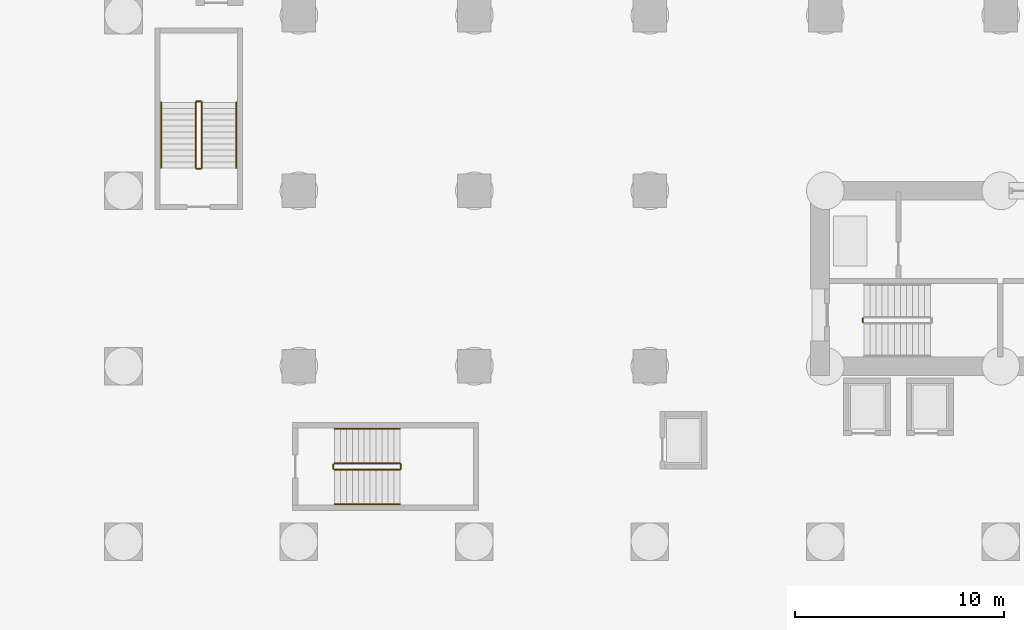
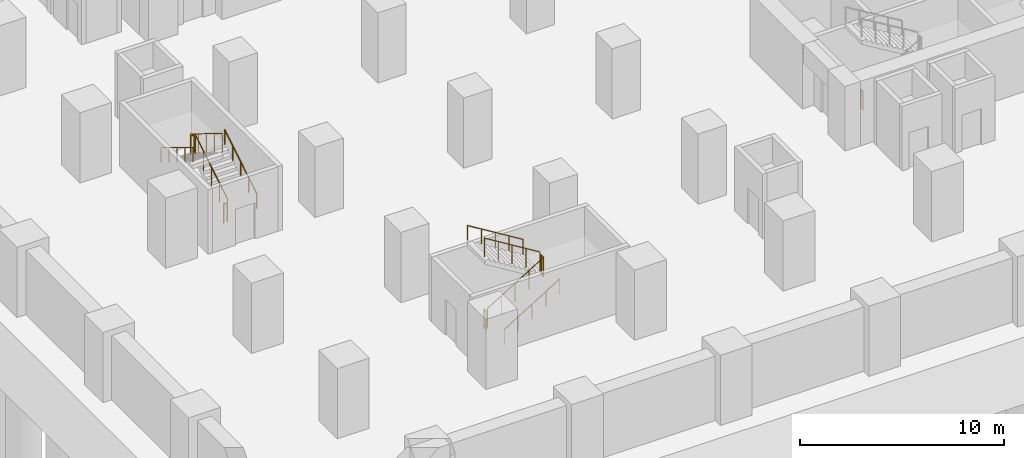
# One storey, part 9 of 12: 13 railings.
"""IFC4 building model written with IfcOpenShell, lengths in metres."""

from ifc_helpers import new_model, si_unit, direction, frame, origin, origin_2d, place, context, subcontext, project, spatial, circle, extrude, material, type_object, element, save


model = new_model("IFC4")

# Units and contexts
model_context = context("Model", 3, precision=1e-05, world=origin(), true_north=direction((0.0, 1.0)))
body_context = subcontext(model_context, "Body", "Model", "MODEL_VIEW")
ifc_project = project(units=[si_unit("LENGTHUNIT", "METRE"), si_unit("AREAUNIT", "SQUARE_METRE"), si_unit("VOLUMEUNIT", "CUBIC_METRE"), si_unit("PLANEANGLEUNIT", "RADIAN"), si_unit("MASSUNIT", "GRAM", prefix="KILO")], contexts=[model_context])

# Site, building, storey
site_placement = place(None, origin())
site = spatial("IfcSite", under=ifc_project, at=site_placement, CompositionType="ELEMENT")
building_placement = place(site_placement, origin())
building = spatial("IfcBuilding", under=site, at=building_placement, Name="Koriwani Terraces Tower", CompositionType="ELEMENT")
storey_placement = place(building_placement, frame((0.0, 0.0, -8.39990234375)))
storey = spatial("IfcBuildingStorey", under=building, at=storey_placement, Name="B02", CompositionType="ELEMENT", Elevation=-8.39990234375)

# Railings
ifc_material = material(Name="Steel ASTM A572 Grade 50", Category="steel")
railing_type_1 = type_object("IfcRailingType", Name="GUARD_STAIR_WELL_1120", PredefinedType="GUARDRAIL", material=ifc_material)
railing_1_placement = place(storey_placement, frame((43.800048828125, 18.89990234375, 0.0)))
element("IfcRailing", 1, at=railing_1_placement, inside=storey, type_object=railing_type_1, Name="B02 ST-E1 stair guard 4", PredefinedType="GUARDRAIL", context=body_context, shape_type="SweptSolid", body=[
    extrude(circle(Radius=0.02392578125, at=origin_2d()), frame((0.0, 0.0, 1.1259765625), z_axis=(0.0, 1.0, 0.0), x_axis=(-1.0, 0.0, 0.0)), (0.0, 0.0, 1.0), 0.2001953125),
    extrude(circle(Radius=0.02099609375, at=origin_2d()), origin(), (0.0, 0.0, 1.0), 1.101806640625),
    extrude(circle(Radius=0.02099609375, at=origin_2d()), frame((0.0, 0.2001953125, 0.0)), (0.0, 0.0, 1.0), 1.101806640625),
])
railing_2_placement = place(storey_placement, frame((12.14990234375, 26.300048828125, 0.1748046875)))
element("IfcRailing", 2, at=railing_2_placement, inside=storey, type_object=railing_type_1, Name="B02 ST-P1 stair guard 1", PredefinedType="GUARDRAIL", context=body_context, shape_type="SweptSolid", body=[
    extrude(circle(Radius=0.02392578125, at=origin_2d()), frame((0.0, 0.0, 1.1259765625), z_axis=(0.0, 0.852166034122, 0.523271488128), x_axis=(-1.0, 0.0, 0.0)), (0.0, 0.0, 1.0), 3.678955078125),
    extrude(circle(Radius=0.02099609375, at=origin_2d()), origin(), (0.0, 0.0, 1.0), 1.101806640625),
    extrude(circle(Radius=0.02099609375, at=origin_2d()), frame((0.0, 0.78369140625, 0.481201171875)), (0.0, 0.0, 1.0), 1.101806640625),
    extrude(circle(Radius=0.02099609375, at=origin_2d()), frame((0.0, 1.5673828125, 0.96240234375)), (0.0, 0.0, 1.0), 1.101806640625),
    extrude(circle(Radius=0.02099609375, at=origin_2d()), frame((0.0, 2.351318359375, 1.44384765625)), (0.0, 0.0, 1.0), 1.101806640625),
    extrude(circle(Radius=0.02099609375, at=origin_2d()), frame((0.0, 3.135009765625, 1.925048828125)), (0.0, 0.0, 1.0), 1.101806640625),
])
railing_3_placement = place(storey_placement, frame((12.10009765625, 29.485107421875, 2.099853515625)))
element("IfcRailing", 3, at=railing_3_placement, inside=storey, type_object=railing_type_1, Name="B02 ST-P1 stair guard 2", PredefinedType="GUARDRAIL", context=body_context, shape_type="SweptSolid", body=[
    extrude(circle(Radius=0.02392578125, at=origin_2d()), frame((0.0, 0.0, 1.1259765625), z_axis=(-1.0, 0.0, 0.0), x_axis=(0.0, -1.0, 0.0)), (0.0, 0.0, 1.0), 0.2001953125),
    extrude(circle(Radius=0.02099609375, at=origin_2d()), origin(), (0.0, 0.0, 1.0), 1.101806640625),
    extrude(circle(Radius=0.02099609375, at=origin_2d()), frame((-0.2001953125, 0.0, 0.0)), (0.0, 0.0, 1.0), 1.101806640625),
])
railing_4_placement = place(storey_placement, frame((11.85009765625, 29.43505859375, 2.27490234375)))
element("IfcRailing", 4, at=railing_4_placement, inside=storey, type_object=railing_type_1, Name="B02 ST-P1 stair guard 3", PredefinedType="GUARDRAIL", context=body_context, shape_type="SweptSolid", body=[
    extrude(circle(Radius=0.02392578125, at=origin_2d()), frame((0.0, 0.0, 1.1259765625), z_axis=(0.0, -0.852166034122, 0.523271488128), x_axis=(1.0, 0.0, 0.0)), (0.0, 0.0, 1.0), 3.678955078125),
    extrude(circle(Radius=0.02099609375, at=origin_2d()), origin(), (0.0, 0.0, 1.0), 1.101806640625),
    extrude(circle(Radius=0.02099609375, at=origin_2d()), frame((0.0, -0.78369140625, 0.481201171875)), (0.0, 0.0, 1.0), 1.101806640625),
    extrude(circle(Radius=0.02099609375, at=origin_2d()), frame((0.0, -1.5673828125, 0.96240234375)), (0.0, 0.0, 1.0), 1.101806640625),
    extrude(circle(Radius=0.02099609375, at=origin_2d()), frame((0.0, -2.351318359375, 1.44384765625)), (0.0, 0.0, 1.0), 1.101806640625),
    extrude(circle(Radius=0.02099609375, at=origin_2d()), frame((0.0, -3.135009765625, 1.925048828125)), (0.0, 0.0, 1.0), 1.101806640625),
])
railing_5_placement = place(storey_placement, frame((12.10009765625, 26.25, 0.0)))
element("IfcRailing", 5, at=railing_5_placement, inside=storey, type_object=railing_type_1, Name="B02 ST-P1 stair guard 4", PredefinedType="GUARDRAIL", context=body_context, shape_type="SweptSolid", body=[
    extrude(circle(Radius=0.02392578125, at=origin_2d()), frame((0.0, 0.0, 1.1259765625), z_axis=(-1.0, 0.0, 0.0), x_axis=(0.0, -1.0, 0.0)), (0.0, 0.0, 1.0), 0.2001953125),
    extrude(circle(Radius=0.02099609375, at=origin_2d()), origin(), (0.0, 0.0, 1.0), 1.101806640625),
    extrude(circle(Radius=0.02099609375, at=origin_2d()), frame((-0.2001953125, 0.0, 0.0)), (0.0, 0.0, 1.0), 1.101806640625),
])
railing_6_placement = place(storey_placement, frame((18.5, 11.85009765625, 0.1748046875)))
element("IfcRailing", 6, at=railing_6_placement, inside=storey, type_object=railing_type_1, Name="B02 ST-P2 stair guard 1", PredefinedType="GUARDRAIL", context=body_context, shape_type="SweptSolid", body=[
    extrude(circle(Radius=0.02392578125, at=origin_2d()), frame((0.0, 0.0, 1.1259765625), z_axis=(0.852166034122, 0.0, 0.523271488128), x_axis=(0.0, 1.0, 0.0)), (0.0, 0.0, 1.0), 3.678955078125),
    extrude(circle(Radius=0.02099609375, at=origin_2d()), origin(), (0.0, 0.0, 1.0), 1.101806640625),
    extrude(circle(Radius=0.02099609375, at=origin_2d()), frame((0.78369140625, 0.0, 0.481201171875)), (0.0, 0.0, 1.0), 1.101806640625),
    extrude(circle(Radius=0.02099609375, at=origin_2d()), frame((1.5673828125, 0.0, 0.96240234375)), (0.0, 0.0, 1.0), 1.101806640625),
    extrude(circle(Radius=0.02099609375, at=origin_2d()), frame((2.351318359375, 0.0, 1.44384765625)), (0.0, 0.0, 1.0), 1.101806640625),
    extrude(circle(Radius=0.02099609375, at=origin_2d()), frame((3.135009765625, 0.0, 1.925048828125)), (0.0, 0.0, 1.0), 1.101806640625),
])
railing_7_placement = place(storey_placement, frame((21.68505859375, 11.89990234375, 2.099853515625)))
element("IfcRailing", 7, at=railing_7_placement, inside=storey, type_object=railing_type_1, Name="B02 ST-P2 stair guard 2", PredefinedType="GUARDRAIL", context=body_context, shape_type="SweptSolid", body=[
    extrude(circle(Radius=0.02392578125, at=origin_2d()), frame((0.0, 0.0, 1.1259765625), z_axis=(0.0, 1.0, 0.0), x_axis=(-1.0, 0.0, 0.0)), (0.0, 0.0, 1.0), 0.2001953125),
    extrude(circle(Radius=0.02099609375, at=origin_2d()), origin(), (0.0, 0.0, 1.0), 1.101806640625),
    extrude(circle(Radius=0.02099609375, at=origin_2d()), frame((0.0, 0.2001953125, 0.0)), (0.0, 0.0, 1.0), 1.101806640625),
])
railing_8_placement = place(storey_placement, frame((21.635009765625, 12.14990234375, 2.27490234375)))
element("IfcRailing", 8, at=railing_8_placement, inside=storey, type_object=railing_type_1, Name="B02 ST-P2 stair guard 3", PredefinedType="GUARDRAIL", context=body_context, shape_type="SweptSolid", body=[
    extrude(circle(Radius=0.02392578125, at=origin_2d()), frame((0.0, 0.0, 1.1259765625), z_axis=(-0.852166034122, 0.0, 0.523271488128), x_axis=(0.0, -1.0, 0.0)), (0.0, 0.0, 1.0), 3.678955078125),
    extrude(circle(Radius=0.02099609375, at=origin_2d()), origin(), (0.0, 0.0, 1.0), 1.101806640625),
    extrude(circle(Radius=0.02099609375, at=origin_2d()), frame((-0.78369140625, 0.0, 0.481201171875)), (0.0, 0.0, 1.0), 1.101806640625),
    extrude(circle(Radius=0.02099609375, at=origin_2d()), frame((-1.5673828125, 0.0, 0.96240234375)), (0.0, 0.0, 1.0), 1.101806640625),
    extrude(circle(Radius=0.02099609375, at=origin_2d()), frame((-2.351318359375, 0.0, 1.44384765625)), (0.0, 0.0, 1.0), 1.101806640625),
    extrude(circle(Radius=0.02099609375, at=origin_2d()), frame((-3.135009765625, 0.0, 1.925048828125)), (0.0, 0.0, 1.0), 1.101806640625),
])
railing_9_placement = place(storey_placement, frame((18.449951171875, 11.89990234375, 0.0)))
element("IfcRailing", 9, at=railing_9_placement, inside=storey, type_object=railing_type_1, Name="B02 ST-P2 stair guard 4", PredefinedType="GUARDRAIL", context=body_context, shape_type="SweptSolid", body=[
    extrude(circle(Radius=0.02392578125, at=origin_2d()), frame((0.0, 0.0, 1.1259765625), z_axis=(0.0, 1.0, 0.0), x_axis=(-1.0, 0.0, 0.0)), (0.0, 0.0, 1.0), 0.2001953125),
    extrude(circle(Radius=0.02099609375, at=origin_2d()), origin(), (0.0, 0.0, 1.0), 1.101806640625),
    extrude(circle(Radius=0.02099609375, at=origin_2d()), frame((0.0, 0.2001953125, 0.0)), (0.0, 0.0, 1.0), 1.101806640625),
])
railing_type_2 = type_object("IfcRailingType", Name="HANDRAIL_STAIR_920", PredefinedType="HANDRAIL", material=ifc_material)
railing_10_placement = place(storey_placement, frame((13.800048828125, 26.300048828125, 0.1748046875)))
element("IfcRailing", 10, at=railing_10_placement, inside=storey, type_object=railing_type_2, Name="B02 ST-P1 stair handrail 1", PredefinedType="HANDRAIL", context=body_context, shape_type="SweptSolid", body=[
    extrude(circle(Radius=0.02392578125, at=origin_2d()), frame((0.0, 0.0, 0.8759765625), z_axis=(0.0, 0.852166034122, 0.523271488128), x_axis=(-1.0, 0.0, 0.0)), (0.0, 0.0, 1.0), 3.678955078125),
    extrude(circle(Radius=0.02099609375, at=origin_2d()), origin(), (0.0, 0.0, 1.0), 0.851806640625),
    extrude(circle(Radius=0.02099609375, at=origin_2d()), frame((0.0, 0.78369140625, 0.481201171875)), (0.0, 0.0, 1.0), 0.851806640625),
    extrude(circle(Radius=0.02099609375, at=origin_2d()), frame((0.0, 1.5673828125, 0.96240234375)), (0.0, 0.0, 1.0), 0.851806640625),
    extrude(circle(Radius=0.02099609375, at=origin_2d()), frame((0.0, 2.351318359375, 1.44384765625)), (0.0, 0.0, 1.0), 0.851806640625),
    extrude(circle(Radius=0.02099609375, at=origin_2d()), frame((0.0, 3.135009765625, 1.925048828125)), (0.0, 0.0, 1.0), 0.851806640625),
])
railing_11_placement = place(storey_placement, frame((10.199951171875, 29.43505859375, 2.27490234375)))
element("IfcRailing", 11, at=railing_11_placement, inside=storey, type_object=railing_type_2, Name="B02 ST-P1 stair handrail 2", PredefinedType="HANDRAIL", context=body_context, shape_type="SweptSolid", body=[
    extrude(circle(Radius=0.02392578125, at=origin_2d()), frame((0.0, 0.0, 0.8759765625), z_axis=(0.0, -0.852166034122, 0.523271488128), x_axis=(1.0, 0.0, 0.0)), (0.0, 0.0, 1.0), 3.678955078125),
    extrude(circle(Radius=0.02099609375, at=origin_2d()), origin(), (0.0, 0.0, 1.0), 0.851806640625),
    extrude(circle(Radius=0.02099609375, at=origin_2d()), frame((0.0, -0.78369140625, 0.481201171875)), (0.0, 0.0, 1.0), 0.851806640625),
    extrude(circle(Radius=0.02099609375, at=origin_2d()), frame((0.0, -1.5673828125, 0.96240234375)), (0.0, 0.0, 1.0), 0.851806640625),
    extrude(circle(Radius=0.02099609375, at=origin_2d()), frame((0.0, -2.351318359375, 1.44384765625)), (0.0, 0.0, 1.0), 0.851806640625),
    extrude(circle(Radius=0.02099609375, at=origin_2d()), frame((0.0, -3.135009765625, 1.925048828125)), (0.0, 0.0, 1.0), 0.851806640625),
])
railing_12_placement = place(storey_placement, frame((18.5, 10.199951171875, 0.1748046875)))
element("IfcRailing", 12, at=railing_12_placement, inside=storey, type_object=railing_type_2, Name="B02 ST-P2 stair handrail 1", PredefinedType="HANDRAIL", context=body_context, shape_type="SweptSolid", body=[
    extrude(circle(Radius=0.02392578125, at=origin_2d()), frame((0.0, 0.0, 0.8759765625), z_axis=(0.852166034122, 0.0, 0.523271488128), x_axis=(0.0, 1.0, 0.0)), (0.0, 0.0, 1.0), 3.678955078125),
    extrude(circle(Radius=0.02099609375, at=origin_2d()), origin(), (0.0, 0.0, 1.0), 0.851806640625),
    extrude(circle(Radius=0.02099609375, at=origin_2d()), frame((0.78369140625, 0.0, 0.481201171875)), (0.0, 0.0, 1.0), 0.851806640625),
    extrude(circle(Radius=0.02099609375, at=origin_2d()), frame((1.5673828125, 0.0, 0.96240234375)), (0.0, 0.0, 1.0), 0.851806640625),
    extrude(circle(Radius=0.02099609375, at=origin_2d()), frame((2.351318359375, 0.0, 1.44384765625)), (0.0, 0.0, 1.0), 0.851806640625),
    extrude(circle(Radius=0.02099609375, at=origin_2d()), frame((3.135009765625, 0.0, 1.925048828125)), (0.0, 0.0, 1.0), 0.851806640625),
])
railing_13_placement = place(storey_placement, frame((21.635009765625, 13.800048828125, 2.27490234375)))
element("IfcRailing", 13, at=railing_13_placement, inside=storey, type_object=railing_type_2, Name="B02 ST-P2 stair handrail 2", PredefinedType="HANDRAIL", context=body_context, shape_type="SweptSolid", body=[
    extrude(circle(Radius=0.02392578125, at=origin_2d()), frame((0.0, 0.0, 0.8759765625), z_axis=(-0.852166034122, 0.0, 0.523271488128), x_axis=(0.0, -1.0, 0.0)), (0.0, 0.0, 1.0), 3.678955078125),
    extrude(circle(Radius=0.02099609375, at=origin_2d()), origin(), (0.0, 0.0, 1.0), 0.851806640625),
    extrude(circle(Radius=0.02099609375, at=origin_2d()), frame((-0.78369140625, 0.0, 0.481201171875)), (0.0, 0.0, 1.0), 0.851806640625),
    extrude(circle(Radius=0.02099609375, at=origin_2d()), frame((-1.5673828125, 0.0, 0.96240234375)), (0.0, 0.0, 1.0), 0.851806640625),
    extrude(circle(Radius=0.02099609375, at=origin_2d()), frame((-2.351318359375, 0.0, 1.44384765625)), (0.0, 0.0, 1.0), 0.851806640625),
    extrude(circle(Radius=0.02099609375, at=origin_2d()), frame((-3.135009765625, 0.0, 1.925048828125)), (0.0, 0.0, 1.0), 0.851806640625),
])

save(model, "model.ifc")
